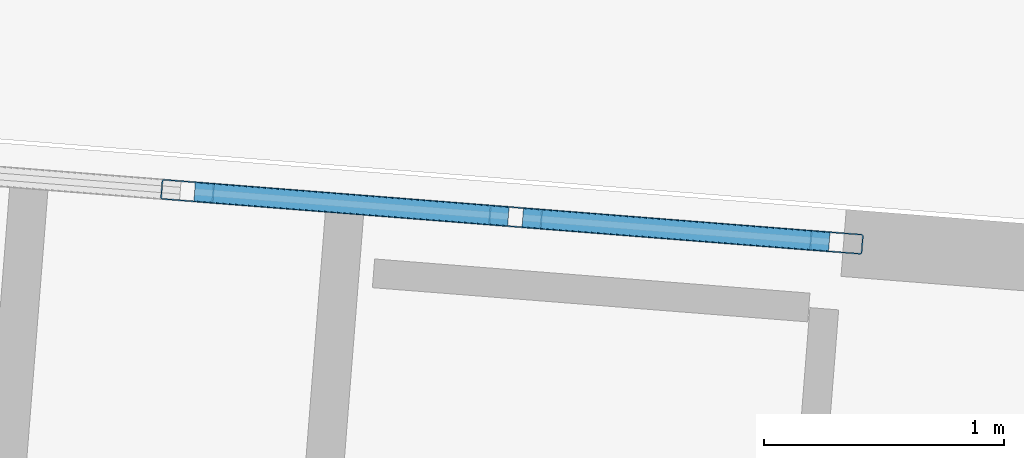
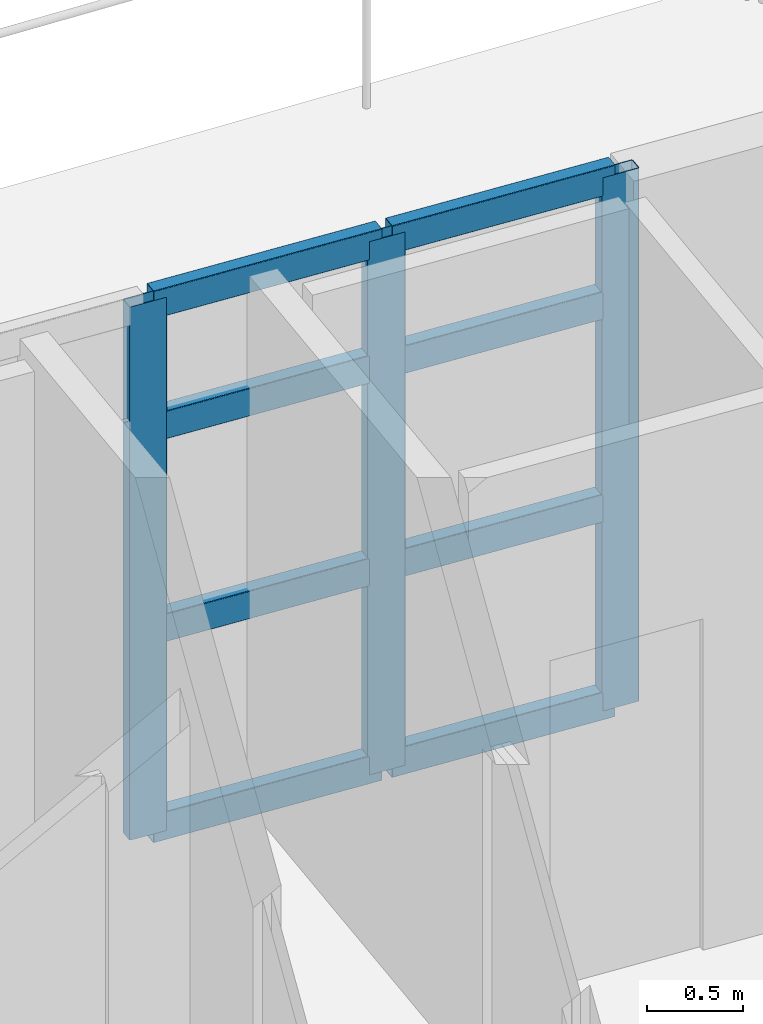
# One storey, part 11 of 23: 11 members, 1 element without a shape of its own.
"""IFC4 building model written with IfcOpenShell, lengths in metres."""

import ifcopenshell
import ifcopenshell.guid

model = None  # the IFC model being written
_history = None  # IfcOwnerHistory: only IFC2X3 demands one
_inside = {}  # id of a spatial element -> (the spatial element, [elements in it])
_under = {}  # id of a project, library or spatial element -> (it, [spatial elements below it])
_declared = {}  # id of a project -> (the project, [libraries it declares])
_typed = {}  # id of a type object -> (the type object, [elements of that type])
_made_of = {}  # id of a material, layer set ... -> (it, [elements and type objects made of it])


def new_model(schema):
    """Start an empty IFC model of exactly this schema.

    Asked for "IFC4X3", IfcOpenShell would pick the latest addendum, in which some entities
    have other attributes; the version numbers below select the first issue.
    IFC2X3 requires an IfcOwnerHistory on every rooted entity: one is made here for all.
    """
    global model, _history
    if schema == "IFC4X3":
        model = ifcopenshell.file(schema_version=(4, 3, 0, 0))
    else:
        model = ifcopenshell.file(schema=schema)
    _inside.clear()
    _under.clear()
    _declared.clear()
    _typed.clear()
    _made_of.clear()
    _history = None
    if model.schema == "IFC2X3":
        org = make("IfcOrganization", Name="unknown")
        user = make(
            "IfcPersonAndOrganization",
            ThePerson=make("IfcPerson", FamilyName="unknown"),
            TheOrganization=org,
        )
        app = make(
            "IfcApplication",
            ApplicationDeveloper=org,
            Version="unknown",
            ApplicationFullName="unknown",
            ApplicationIdentifier="unknown",
        )
        _history = make(
            "IfcOwnerHistory",
            OwningUser=user,
            OwningApplication=app,
            ChangeAction="ADDED",
            CreationDate=0,
        )
    return model


def make(cls, **values):
    """One entity of the class cls with the attributes given. An attribute that is None is left unset."""
    return model.create_entity(
        cls, **{name: value for name, value in values.items() if value is not None}
    )


def rooted(cls, **values):
    """An entity with a GlobalId (a new one), such as an element, a storey or a relation."""
    return make(cls, GlobalId=ifcopenshell.guid.new(), OwnerHistory=_history, **values)


def si_unit(unit_type, name, prefix=None):
    """IfcSIUnit, for example si_unit("LENGTHUNIT", "METRE", prefix="MILLI")."""
    return make("IfcSIUnit", UnitType=unit_type, Prefix=prefix, Name=name)


def assignment(units):
    """IfcUnitAssignment: the units of a project."""
    return None if units is None else make("IfcUnitAssignment", Units=units)


def point(xyz):
    """IfcCartesianPoint."""
    return None if xyz is None else make("IfcCartesianPoint", Coordinates=xyz)


def direction(xyz):
    """IfcDirection."""
    return None if xyz is None else make("IfcDirection", DirectionRatios=xyz)


def frame(location, z_axis=None, x_axis=None):
    """IfcAxis2Placement3D, a coordinate frame: its origin and axes. An axis left out is left unset."""
    return make(
        "IfcAxis2Placement3D",
        Location=point(location),
        Axis=direction(z_axis),
        RefDirection=direction(x_axis),
    )


def frame_2d(location, x_axis=None):
    """IfcAxis2Placement2D, a coordinate frame in the plane: its origin and x axis."""
    return make(
        "IfcAxis2Placement2D", Location=point(location), RefDirection=direction(x_axis)
    )


def origin():
    """The frame at (0, 0, 0) with its axes left unset."""
    return frame((0.0, 0.0, 0.0))


def origin_2d():
    """The frame at (0, 0) in the plane with its x axis left unset."""
    return frame_2d((0.0, 0.0))


def place(relative_to, where):
    """IfcLocalPlacement: puts the frame where relative to a parent placement (None: the world)."""
    return make(
        "IfcLocalPlacement", PlacementRelTo=relative_to, RelativePlacement=where
    )


def context(
    kind, dimensions, precision=None, world=None, true_north=None, identifier=None
):
    """IfcGeometricRepresentationContext, for example the 3D "Model" context."""
    return make(
        "IfcGeometricRepresentationContext",
        ContextIdentifier=identifier,
        ContextType=kind,
        CoordinateSpaceDimension=dimensions,
        Precision=precision,
        WorldCoordinateSystem=world,
        TrueNorth=true_north,
    )


def subcontext(parent, identifier, kind, view, scale=None):
    """IfcGeometricRepresentationSubContext, for example "Body" below "Model"."""
    return make(
        "IfcGeometricRepresentationSubContext",
        ContextIdentifier=identifier,
        ContextType=kind,
        ParentContext=parent,
        TargetScale=scale,
        TargetView=view,
    )


def project(units=None, contexts=None):
    """IfcProject with its units and contexts."""
    return rooted(
        "IfcProject",
        Name="project",
        RepresentationContexts=contexts,
        UnitsInContext=assignment(units),
    )


def spatial(cls, under=None, at=None, **own):
    """A site, building, storey or space (cls), placed at a placement, below another one or the project."""
    s = rooted(cls, ObjectPlacement=at, **own)
    if under is not None:
        _under.setdefault(under.id(), (under, []))[1].append(s)
    return s


def profile(cls, at=None, kind="AREA", **sizes):
    """A parametric profile (cls). Its sizes go by their IFC names, for example OverallWidth=200.0."""
    return make(cls, ProfileType=kind, Position=at, **sizes)


def hollow_rectangle(**sizes):
    """IfcRectangleHollowProfileDef."""
    return profile("IfcRectangleHollowProfileDef", **sizes)


def extrude(swept, where, along, depth):
    """IfcExtrudedAreaSolid: the profile swept, set in the frame where, extruded along a direction by depth."""
    return make(
        "IfcExtrudedAreaSolid",
        SweptArea=swept,
        Position=where,
        ExtrudedDirection=direction(along),
        Depth=depth,
    )


def shape(context_of_items, identifier, shape_type, items):
    """IfcShapeRepresentation: the items that make up one representation, for example the "Body"."""
    return make(
        "IfcShapeRepresentation",
        ContextOfItems=context_of_items,
        RepresentationIdentifier=identifier,
        RepresentationType=shape_type,
        Items=items,
    )


def material(Name=None, Category=None):
    """IfcMaterial."""
    return make("IfcMaterial", Name=Name, Category=Category)


def layer(
    of_material, thickness, ventilated=None, Name=None, Category=None, Priority=None
):
    """IfcMaterialLayer: one layer of a wall or slab, of a material (None: an air gap)."""
    return make(
        "IfcMaterialLayer",
        Material=of_material,
        LayerThickness=thickness,
        IsVentilated=ventilated,
        Name=Name,
        Category=Category,
        Priority=Priority,
    )


def layer_set(layers, Name=None):
    """IfcMaterialLayerSet."""
    return make("IfcMaterialLayerSet", MaterialLayers=layers, LayerSetName=Name)


def material_profile(
    of_material, cross_section, Name=None, Category=None, Priority=None
):
    """IfcMaterialProfile: a cross section and its material."""
    return make(
        "IfcMaterialProfile",
        Name=Name,
        Material=of_material,
        Profile=cross_section,
        Priority=Priority,
        Category=Category,
    )


def profile_set(profiles, Name=None, composite=None):
    """IfcMaterialProfileSet."""
    return make(
        "IfcMaterialProfileSet",
        Name=Name,
        MaterialProfiles=profiles,
        CompositeProfile=composite,
    )


def made_of(thing, what):
    """Note that an element or type object is made of a material, layer set ...; save() writes the relation."""
    if what is not None:
        _made_of.setdefault(what.id(), (what, []))[1].append(thing)
    return thing


def type_object(cls, material=None, **own):
    """A type object (cls), such as IfcWallType, which elements share."""
    return made_of(rooted(cls, **own), material)


def element(
    cls,
    number,
    at=None,
    inside=None,
    cuts=None,
    type_object=None,
    material=None,
    context=None,
    identifier="Body",
    shape_type=None,
    held_by="IfcProductDefinitionShape",
    body=None,
    shapes=None,
    **own,
):
    """One element of the class cls, such as IfcWall. Its Tag is "e" and its number.

    at: its placement. inside: the storey or other place that contains it. cuts: it is an
    opening in that element (IfcRelVoidsElement). A single representation is given by context,
    identifier, shape_type and body (its items); several are given by shapes. held_by: the class
    of the entity that holds the representations. save() writes the other relations.
    """
    e = rooted(cls, Tag="e%d" % number, ObjectPlacement=at, **own)
    if body is not None:
        shapes = [shape(context, identifier, shape_type, body)]
    if shapes is not None:
        e.Representation = make(held_by, Representations=shapes)
    if inside is not None:
        _inside.setdefault(inside.id(), (inside, []))[1].append(e)
    if cuts is not None:
        rooted(
            "IfcRelVoidsElement", RelatingBuildingElement=cuts, RelatedOpeningElement=e
        )
    if type_object is not None:
        _typed.setdefault(type_object.id(), (type_object, []))[1].append(e)
    return made_of(e, material)


def aggregate(whole, parts):
    """IfcRelAggregates: a whole, such as a stair, and the parts it consists of."""
    return rooted("IfcRelAggregates", RelatingObject=whole, RelatedObjects=parts)


def save(model, path):
    """Write the relations noted so far, then the file.

    IfcRelAggregates (storeys below a building ...), IfcRelContainedInSpatialStructure (elements
    in a storey), IfcRelDefinesByType, IfcRelAssociatesMaterial and IfcRelDeclares: one each for
    every whole, place, type object, material and project.
    """
    for whole, parts in _under.values():
        aggregate(whole, parts)
    for where, things in _inside.values():
        rooted(
            "IfcRelContainedInSpatialStructure",
            RelatedElements=things,
            RelatingStructure=where,
        )
    for kind, things in _typed.values():
        rooted("IfcRelDefinesByType", RelatedObjects=things, RelatingType=kind)
    for what, things in _made_of.values():
        rooted("IfcRelAssociatesMaterial", RelatedObjects=things, RelatingMaterial=what)
    for by, libraries in _declared.values():
        rooted("IfcRelDeclares", RelatingContext=by, RelatedDefinitions=libraries)
    model.write(path)


model = new_model("IFC4")

# Units and contexts
model_context = context("Model", 3, precision=1e-05, world=origin(), true_north=direction((0.0, 1.0)))
body_context = subcontext(model_context, "Body", "Model", "MODEL_VIEW")
ifc_project = project(units=[si_unit("LENGTHUNIT", "METRE"), si_unit("AREAUNIT", "SQUARE_METRE"), si_unit("VOLUMEUNIT", "CUBIC_METRE"), si_unit("PLANEANGLEUNIT", "RADIAN"), si_unit("MASSUNIT", "GRAM", prefix="KILO")], contexts=[model_context])

# Site, building, storey
site_placement = place(None, origin())
site = spatial("IfcSite", under=ifc_project, at=site_placement, CompositionType="ELEMENT")
building_placement = place(site_placement, origin())
building = spatial("IfcBuilding", under=site, at=building_placement, Name="Qingluan Cross Belvedere", CompositionType="ELEMENT")
storey_placement = place(building_placement, frame((0.0, 0.0, 245.39990234375)))
storey = spatial("IfcBuildingStorey", under=building, at=storey_placement, Name="L61", CompositionType="ELEMENT", Elevation=245.39990234375)

# Curtain wall, members
ifc_material_1 = material(Name="Thermally broken aluminium and Low-E glass", Category="aluminium")
ifc_layer = layer(ifc_material_1, 0.219970703125, Name="UnitisedCW_SkyLobbyHigh")
ifc_layer_set = layer_set([ifc_layer], Name="Thermally broken aluminium and Low-E glass")
curtain_wall_type = type_object("IfcCurtainWallType", Name="UnitisedCW_SkyLobbyHigh", PredefinedType="USERDEFINED", material=ifc_layer_set)
curtain_wall_placement = place(storey_placement, origin())
curtain_wall = element("IfcCurtainWall", 1, at=curtain_wall_placement, inside=storey, type_object=curtain_wall_type, Name="UnitisedCW_SkyLobbyHigh run env:cw:L61:N", ObjectType="UNITISED CURTAIN WALL", PredefinedType="USERDEFINED")
ifc_material_2 = material(Name="Aluminium alloy 6063-T6", Category="aluminium")
ifc_material_profile_1 = material_profile(ifc_material_2, hollow_rectangle(XDim=0.0849609375, YDim=0.219970703125, WallThickness=0.0048828125, InnerFilletRadius=0.0048828125, OuterFilletRadius=0.010009765625, at=origin_2d()), Name="CWM220x85x5")
ifc_profile_set_1 = profile_set([ifc_material_profile_1], Name="Aluminium alloy 6063-T6")
member_type_1 = type_object("IfcMemberType", Name="CWMullion_220", PredefinedType="MULLION", material=ifc_profile_set_1)
member_1_placement = place(storey_placement, frame((5.042236328125, 29.475341796875, 0.0), z_axis=(0.0, 0.0, 1.0), x_axis=(-0.078461828752, -0.996917118636, 0.0)))
member_1 = element("IfcMember", 2, at=member_1_placement, type_object=member_type_1, Name="CW-S2 mullion 1", PredefinedType="MULLION", context=body_context, shape_type="SweptSolid", body=[
    extrude(hollow_rectangle(XDim=0.0849609375, YDim=0.219970703125, WallThickness=0.0048828125, InnerFilletRadius=0.0048828125, OuterFilletRadius=0.010009765625, at=origin_2d()), origin(), (0.0, 0.0, 1.0), 3.380126953125),
])
member_2_placement = place(storey_placement, frame((3.704345703125, 29.58056640625, 0.0), z_axis=(0.0, 0.0, 1.0), x_axis=(-0.078461828752, -0.996917118636, 0.0)))
member_2 = element("IfcMember", 3, at=member_2_placement, type_object=member_type_1, Name="CW-S2 mullion 2", PredefinedType="MULLION", context=body_context, shape_type="SweptSolid", body=[
    extrude(hollow_rectangle(XDim=0.0849609375, YDim=0.219970703125, WallThickness=0.0048828125, InnerFilletRadius=0.0048828125, OuterFilletRadius=0.010009765625, at=origin_2d()), origin(), (0.0, 0.0, 1.0), 3.380126953125),
])
member_3_placement = place(storey_placement, frame((2.336669921875, 29.688232421875, 0.0), z_axis=(0.0, 0.0, 1.0), x_axis=(-0.078461828752, -0.996917118636, 0.0)))
member_3 = element("IfcMember", 4, at=member_3_placement, type_object=member_type_1, Name="CW-S2 mullion 3", PredefinedType="MULLION", context=body_context, shape_type="SweptSolid", body=[
    extrude(hollow_rectangle(XDim=0.0849609375, YDim=0.219970703125, WallThickness=0.0048828125, InnerFilletRadius=0.0048828125, OuterFilletRadius=0.010009765625, at=origin_2d()), origin(), (0.0, 0.0, 1.0), 3.380126953125),
])
ifc_material_3 = material(Name="Aluminium alloy 6063-T6", Category="aluminium")
ifc_material_profile_2 = material_profile(ifc_material_3, hollow_rectangle(XDim=0.0849609375, YDim=0.179931640625, WallThickness=0.00390625, InnerFilletRadius=0.00390625, OuterFilletRadius=0.008056640625, at=origin_2d()), Name="CWT180x85x4")
ifc_profile_set_2 = profile_set([ifc_material_profile_2], Name="Aluminium alloy 6063-T6")
member_type_2 = type_object("IfcMemberType", Name="CWTransom_180", PredefinedType="USERDEFINED", material=ifc_profile_set_2)
member_4_placement = place(storey_placement, frame((5.01220703125, 29.4775390625, 0.030029296875), z_axis=(-0.996917384901, 0.078458445574, 0.0), x_axis=(-0.078458445574, -0.996917384901, 0.0)))
member_4 = element("IfcMember", 5, at=member_4_placement, type_object=member_type_2, Name="CW-S2 transom 1.1", ObjectType="TRANSOM", PredefinedType="USERDEFINED", context=body_context, shape_type="SweptSolid", body=[
    extrude(hollow_rectangle(XDim=0.0849609375, YDim=0.179931640625, WallThickness=0.00390625, InnerFilletRadius=0.00390625, OuterFilletRadius=0.008056640625, at=origin_2d()), origin(), (0.0, 0.0, 1.0), 1.281982421875),
])
member_5_placement = place(storey_placement, frame((5.01220703125, 29.4775390625, 1.2841796875), z_axis=(-0.996917384901, 0.078458445574, 0.0), x_axis=(-0.078458445574, -0.996917384901, 0.0)))
member_5 = element("IfcMember", 6, at=member_5_placement, type_object=member_type_2, Name="CW-S2 transom 1.2", ObjectType="TRANSOM", PredefinedType="USERDEFINED", context=body_context, shape_type="SweptSolid", body=[
    extrude(hollow_rectangle(XDim=0.0849609375, YDim=0.179931640625, WallThickness=0.00390625, InnerFilletRadius=0.00390625, OuterFilletRadius=0.008056640625, at=origin_2d()), origin(), (0.0, 0.0, 1.0), 1.281982421875),
])
member_6_placement = place(storey_placement, frame((5.01220703125, 29.4775390625, 2.569091796875), z_axis=(-0.996917384901, 0.078458445574, 0.0), x_axis=(-0.078458445574, -0.996917384901, 0.0)))
member_6 = element("IfcMember", 7, at=member_6_placement, type_object=member_type_2, Name="CW-S2 transom 1.3", ObjectType="TRANSOM", PredefinedType="USERDEFINED", context=body_context, shape_type="SweptSolid", body=[
    extrude(hollow_rectangle(XDim=0.0849609375, YDim=0.179931640625, WallThickness=0.00390625, InnerFilletRadius=0.00390625, OuterFilletRadius=0.008056640625, at=origin_2d()), origin(), (0.0, 0.0, 1.0), 1.281982421875),
])
member_7_placement = place(storey_placement, frame((5.01220703125, 29.4775390625, 3.35009765625), z_axis=(-0.996917384901, 0.078458445574, 0.0), x_axis=(-0.078458445574, -0.996917384901, 0.0)))
member_7 = element("IfcMember", 8, at=member_7_placement, type_object=member_type_2, Name="CW-S2 transom 1.4", ObjectType="TRANSOM", PredefinedType="USERDEFINED", context=body_context, shape_type="SweptSolid", body=[
    extrude(hollow_rectangle(XDim=0.0849609375, YDim=0.179931640625, WallThickness=0.00390625, InnerFilletRadius=0.00390625, OuterFilletRadius=0.008056640625, at=origin_2d()), origin(), (0.0, 0.0, 1.0), 1.281982421875),
])
member_8_placement = place(storey_placement, frame((3.67431640625, 29.5830078125, 0.030029296875), z_axis=(-0.9969261345, 0.078347191082, 0.0), x_axis=(-0.078347191082, -0.9969261345, 0.0)))
member_8 = element("IfcMember", 9, at=member_8_placement, type_object=member_type_2, Name="CW-S2 transom 2.1", ObjectType="TRANSOM", PredefinedType="USERDEFINED", context=body_context, shape_type="SweptSolid", body=[
    extrude(hollow_rectangle(XDim=0.0849609375, YDim=0.179931640625, WallThickness=0.00390625, InnerFilletRadius=0.00390625, OuterFilletRadius=0.008056640625, at=origin_2d()), origin(), (0.0, 0.0, 1.0), 1.31201171875),
])
member_9_placement = place(storey_placement, frame((3.67431640625, 29.5830078125, 1.2841796875), z_axis=(-0.9969261345, 0.078347191082, 0.0), x_axis=(-0.078347191082, -0.9969261345, 0.0)))
member_9 = element("IfcMember", 10, at=member_9_placement, type_object=member_type_2, Name="CW-S2 transom 2.2", ObjectType="TRANSOM", PredefinedType="USERDEFINED", context=body_context, shape_type="SweptSolid", body=[
    extrude(hollow_rectangle(XDim=0.0849609375, YDim=0.179931640625, WallThickness=0.00390625, InnerFilletRadius=0.00390625, OuterFilletRadius=0.008056640625, at=origin_2d()), origin(), (0.0, 0.0, 1.0), 1.31201171875),
])
member_10_placement = place(storey_placement, frame((3.67431640625, 29.5830078125, 2.569091796875), z_axis=(-0.9969261345, 0.078347191082, 0.0), x_axis=(-0.078347191082, -0.9969261345, 0.0)))
member_10 = element("IfcMember", 11, at=member_10_placement, type_object=member_type_2, Name="CW-S2 transom 2.3", ObjectType="TRANSOM", PredefinedType="USERDEFINED", context=body_context, shape_type="SweptSolid", body=[
    extrude(hollow_rectangle(XDim=0.0849609375, YDim=0.179931640625, WallThickness=0.00390625, InnerFilletRadius=0.00390625, OuterFilletRadius=0.008056640625, at=origin_2d()), origin(), (0.0, 0.0, 1.0), 1.31201171875),
])
member_11_placement = place(storey_placement, frame((3.67431640625, 29.5830078125, 3.35009765625), z_axis=(-0.9969261345, 0.078347191082, 0.0), x_axis=(-0.078347191082, -0.9969261345, 0.0)))
member_11 = element("IfcMember", 12, at=member_11_placement, type_object=member_type_2, Name="CW-S2 transom 2.4", ObjectType="TRANSOM", PredefinedType="USERDEFINED", context=body_context, shape_type="SweptSolid", body=[
    extrude(hollow_rectangle(XDim=0.0849609375, YDim=0.179931640625, WallThickness=0.00390625, InnerFilletRadius=0.00390625, OuterFilletRadius=0.008056640625, at=origin_2d()), origin(), (0.0, 0.0, 1.0), 1.31201171875),
])
aggregate(curtain_wall, [member_1, member_2, member_3, member_4, member_5, member_6, member_7, member_8, member_9, member_10, member_11])

save(model, "model.ifc")
